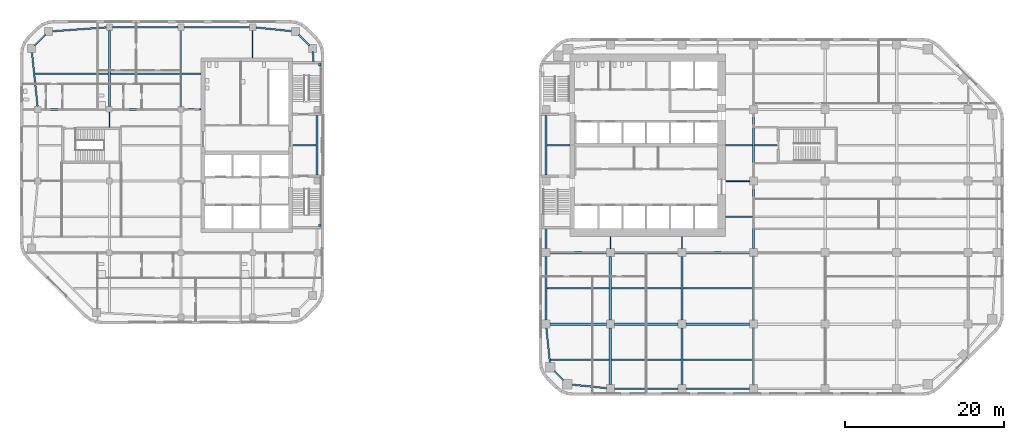
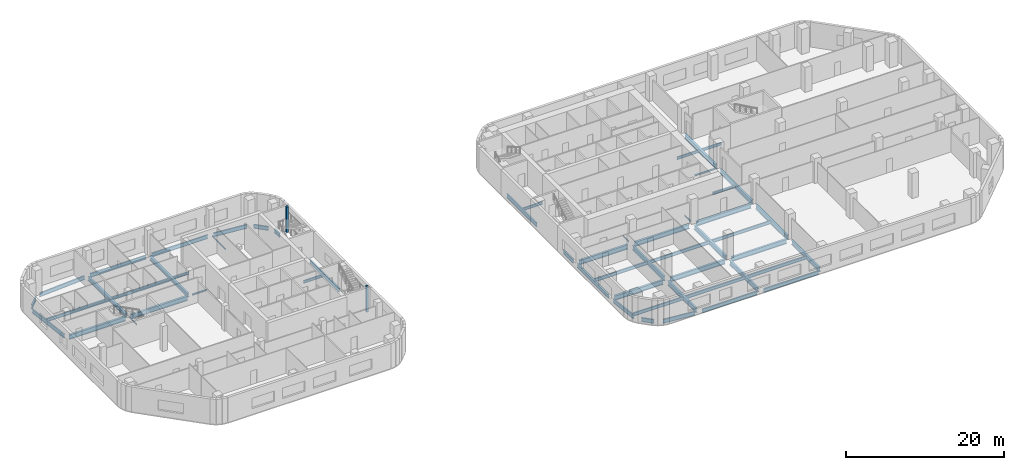
# One storey, part 2 of 16: 55 beams, 2 members.
"""IFC4 building model written with IfcOpenShell, lengths in metres."""

from ifc_helpers import new_model, si_unit, direction, frame, origin, origin_2d, place, context, subcontext, project, spatial, rectangle, i_section, extrude, material, material_profile, profile_set, type_object, element, save


model = new_model("IFC4")

# Units and contexts
model_context = context("Model", 3, precision=1e-05, world=origin(), true_north=direction((0.0, 1.0)))
body_context = subcontext(model_context, "Body", "Model", "MODEL_VIEW")
ifc_project = project(units=[si_unit("LENGTHUNIT", "METRE"), si_unit("AREAUNIT", "SQUARE_METRE"), si_unit("VOLUMEUNIT", "CUBIC_METRE"), si_unit("PLANEANGLEUNIT", "RADIAN"), si_unit("MASSUNIT", "GRAM", prefix="KILO")], contexts=[model_context])

# Site, building, storey
site_placement = place(None, origin())
site = spatial("IfcSite", under=ifc_project, at=site_placement, CompositionType="ELEMENT")
building_placement = place(site_placement, origin())
building = spatial("IfcBuilding", under=site, at=building_placement, Name="Cinnabar Reach Civic Tower", CompositionType="ELEMENT")
storey_placement = place(building_placement, frame((0.0, 0.0, 79.0)))
storey = spatial("IfcBuildingStorey", under=building, at=storey_placement, Name="L18", CompositionType="ELEMENT", Elevation=79.0)

# Beams
ifc_material_1 = material(Name="Steel Q355B", Category="steel")
ifc_material_profile_1 = material_profile(ifc_material_1, i_section(OverallWidth=0.302, OverallDepth=0.594, WebThickness=0.014, FlangeThickness=0.023, FilletRadius=0.016, at=origin_2d()), Name="HM594x302x14x23")
ifc_profile_set_1 = profile_set([ifc_material_profile_1], Name="Steel Q355B")
beam_type_1 = type_object("IfcBeamType", Name="HM594x302x14x23 beam R 120", PredefinedType="BEAM", material=ifc_profile_set_1)
for number, where, z_axis, x_axis, name in (
    (1, (-54.0, 36.352, -0.447), (0.0, 1.0, 0.0), (-1.0, 0.0, 0.0), "Girder T2 L18 5"),
    (2, (-45.0, 36.352, -0.447), (0.0, 1.0, 0.0), (-1.0, 0.0, 0.0), "Girder T2 L18 9"),
):
    element("IfcBeam", number, at=place(storey_placement, frame(where, z_axis=z_axis, x_axis=x_axis)), inside=storey, type_object=beam_type_1, Name=name, PredefinedType="BEAM", context=body_context, shape_type="SweptSolid", body=[
        extrude(i_section(OverallWidth=0.302, OverallDepth=0.594, WebThickness=0.014, FlangeThickness=0.023, FilletRadius=0.016, at=origin_2d()), origin(), (0.0, 0.0, 1.0), 9.596),
    ])
ifc_material_profile_2 = material_profile(ifc_material_1, i_section(OverallWidth=0.099, OverallDepth=0.198, WebThickness=0.0045, FlangeThickness=0.007, FilletRadius=0.013, at=origin_2d()), Name="HN200x100x5.5x8")
ifc_profile_set_2 = profile_set([ifc_material_profile_2], Name="Steel Q355B")
beam_type_2 = type_object("IfcBeamType", Name="HN200x100x5.5x8 beam R 120", PredefinedType="BEAM", material=ifc_profile_set_2)
beam_1_placement = place(storey_placement, frame((-54.0, 33.752, -0.249), z_axis=(0.0, 1.0, 0.0), x_axis=(-1.0, 0.0, 0.0)))
element("IfcBeam", 3, at=beam_1_placement, inside=storey, type_object=beam_type_2, Name="Girder T2 L18 4", PredefinedType="BEAM", context=body_context, shape_type="SweptSolid", body=[
    extrude(i_section(OverallWidth=0.099, OverallDepth=0.198, WebThickness=0.0045, FlangeThickness=0.007, FilletRadius=0.013, at=origin_2d()), origin(), (0.0, 0.0, 1.0), 1.896),
])
beam_2_placement = place(storey_placement, frame((-36.0, 42.502, -0.249), z_axis=(0.0, 1.0, 0.0), x_axis=(-1.0, 0.0, 0.0)))
element("IfcBeam", 4, at=beam_2_placement, inside=storey, type_object=beam_type_2, Name="Girder T2 L18 12", PredefinedType="BEAM", context=body_context, shape_type="SweptSolid", body=[
    extrude(i_section(OverallWidth=0.099, OverallDepth=0.198, WebThickness=0.0045, FlangeThickness=0.007, FilletRadius=0.013, at=origin_2d()), origin(), (0.0, 0.0, 1.0), 3.446),
])
ifc_material_profile_3 = material_profile(ifc_material_1, i_section(OverallWidth=0.099, OverallDepth=0.198, WebThickness=0.0045, FlangeThickness=0.007, FilletRadius=0.013, at=origin_2d()), Name="HN200x100x5.5x8")
ifc_profile_set_3 = profile_set([ifc_material_profile_3], Name="Steel Q355B")
beam_type_3 = type_object("IfcBeamType", Name="HN200x100x5.5x8 beam R 180", PredefinedType="BEAM", material=ifc_profile_set_3)
for number, where, z_axis, x_axis, name in (
    (5, (9.0, 18.502, -0.249), (0.0, 1.0, 0.0), (-1.0, 0.0, 0.0), "Girder T1 L18 3"),
    (6, (18.0, 18.502, -0.249), (0.0, 1.0, 0.0), (-1.0, 0.0, 0.0), "Girder T1 L18 6"),
):
    element("IfcBeam", number, at=place(storey_placement, frame(where, z_axis=z_axis, x_axis=x_axis)), inside=storey, type_object=beam_type_3, Name=name, PredefinedType="BEAM", context=body_context, shape_type="SweptSolid", body=[
        extrude(i_section(OverallWidth=0.099, OverallDepth=0.198, WebThickness=0.0045, FlangeThickness=0.007, FilletRadius=0.013, at=origin_2d()), origin(), (0.0, 0.0, 1.0), 1.496),
    ])
ifc_material_profile_4 = material_profile(ifc_material_1, i_section(OverallWidth=0.124, OverallDepth=0.248, WebThickness=0.005, FlangeThickness=0.008, FilletRadius=0.013, at=origin_2d()), Name="HN250x125x6x9")
ifc_profile_set_4 = profile_set([ifc_material_profile_4], Name="Steel Q355B")
beam_type_4 = type_object("IfcBeamType", Name="HN250x125x6x9 beam R 120", PredefinedType="BEAM", material=ifc_profile_set_4)
beam_3_placement = place(storey_placement, frame((-44.648, 36.0, -0.274), z_axis=(1.0, 0.0, 0.0), x_axis=(0.0, 1.0, 0.0)))
element("IfcBeam", 7, at=beam_3_placement, inside=storey, type_object=beam_type_4, Name="Girder T2 L18 10", PredefinedType="BEAM", context=body_context, shape_type="SweptSolid", body=[
    extrude(i_section(OverallWidth=0.124, OverallDepth=0.248, WebThickness=0.005, FlangeThickness=0.008, FilletRadius=0.013, at=origin_2d()), origin(), (0.0, 0.0, 1.0), 2.146),
])
ifc_material_profile_5 = material_profile(ifc_material_1, i_section(OverallWidth=0.124, OverallDepth=0.248, WebThickness=0.005, FlangeThickness=0.008, FilletRadius=0.013, at=origin_2d()), Name="HN250x125x6x9")
ifc_profile_set_5 = profile_set([ifc_material_profile_5], Name="Steel Q355B")
beam_type_5 = type_object("IfcBeamType", Name="HN250x125x6x9 beam R 180", PredefinedType="BEAM", material=ifc_profile_set_5)
beam_4_placement = place(storey_placement, frame((23.502, 27.0, -0.274), z_axis=(1.0, 0.0, 0.0), x_axis=(0.0, 1.0, 0.0)))
element("IfcBeam", 8, at=beam_4_placement, inside=storey, type_object=beam_type_5, Name="Girder T1 L18 15", PredefinedType="BEAM", context=body_context, shape_type="SweptSolid", body=[
    extrude(i_section(OverallWidth=0.124, OverallDepth=0.248, WebThickness=0.005, FlangeThickness=0.008, FilletRadius=0.013, at=origin_2d()), origin(), (0.0, 0.0, 1.0), 2.996),
])
ifc_material_profile_6 = material_profile(ifc_material_1, i_section(OverallWidth=0.199, OverallDepth=0.396, WebThickness=0.007, FlangeThickness=0.011, FilletRadius=0.013, at=origin_2d()), Name="HN396x199x7x11")
ifc_profile_set_6 = profile_set([ifc_material_profile_6], Name="Steel Q355B")
beam_type_6 = type_object("IfcBeamType", Name="HN396x199x7x11 beam R 120", PredefinedType="BEAM", material=ifc_profile_set_6)
beam_5_placement = place(storey_placement, frame((-30.998, 31.5, -0.348), z_axis=(1.0, 0.0, 0.0), x_axis=(0.0, 1.0, 0.0)))
element("IfcBeam", 9, at=beam_5_placement, inside=storey, type_object=beam_type_6, Name="Secondary beam T2 L18 11", PredefinedType="BEAM", context=body_context, shape_type="SweptSolid", body=[
    extrude(i_section(OverallWidth=0.199, OverallDepth=0.396, WebThickness=0.007, FlangeThickness=0.011, FilletRadius=0.013, at=origin_2d()), origin(), (0.0, 0.0, 1.0), 2.996),
])
beam_6_placement = place(storey_placement, frame((-44.847, 40.5, -0.348), z_axis=(1.0, 0.0, 0.0), x_axis=(0.0, 1.0, 0.0)))
element("IfcBeam", 10, at=beam_6_placement, inside=storey, type_object=beam_type_6, Name="Secondary beam T2 L18 14", PredefinedType="BEAM", context=body_context, shape_type="SweptSolid", body=[
    extrude(i_section(OverallWidth=0.199, OverallDepth=0.396, WebThickness=0.007, FlangeThickness=0.011, FilletRadius=0.013, at=origin_2d()), origin(), (0.0, 0.0, 1.0), 2.345),
])
ifc_material_profile_7 = material_profile(ifc_material_1, i_section(OverallWidth=0.2, OverallDepth=0.4, WebThickness=0.008, FlangeThickness=0.013, FilletRadius=0.016, at=origin_2d()), Name="HN400x200x8x13")
ifc_profile_set_7 = profile_set([ifc_material_profile_7], Name="Steel Q355B")
beam_type_7 = type_object("IfcBeamType", Name="HN400x200x8x13 beam R 180", PredefinedType="BEAM", material=ifc_profile_set_7)
beam_7_placement = place(storey_placement, frame((23.502, 22.5, -0.35), z_axis=(1.0, 0.0, 0.0), x_axis=(0.0, 1.0, 0.0)))
element("IfcBeam", 11, at=beam_7_placement, inside=storey, type_object=beam_type_7, Name="Secondary beam T1 L18 14", PredefinedType="BEAM", context=body_context, shape_type="SweptSolid", body=[
    extrude(i_section(OverallWidth=0.2, OverallDepth=0.4, WebThickness=0.008, FlangeThickness=0.013, FilletRadius=0.016, at=origin_2d()), origin(), (0.0, 0.0, 1.0), 3.346),
])
beam_8_placement = place(storey_placement, frame((1.002, 31.5, -0.35), z_axis=(1.0, 0.0, 0.0), x_axis=(0.0, 1.0, 0.0)))
element("IfcBeam", 12, at=beam_8_placement, inside=storey, type_object=beam_type_7, Name="Secondary beam T1 L18 19", PredefinedType="BEAM", context=body_context, shape_type="SweptSolid", body=[
    extrude(i_section(OverallWidth=0.2, OverallDepth=0.4, WebThickness=0.008, FlangeThickness=0.013, FilletRadius=0.016, at=origin_2d()), origin(), (0.0, 0.0, 1.0), 2.896),
])
beam_9_placement = place(storey_placement, frame((23.502, 31.5, -0.35), z_axis=(1.0, 0.0, 0.0), x_axis=(0.0, 1.0, 0.0)))
element("IfcBeam", 13, at=beam_9_placement, inside=storey, type_object=beam_type_7, Name="Secondary beam T1 L18 20", PredefinedType="BEAM", context=body_context, shape_type="SweptSolid", body=[
    extrude(i_section(OverallWidth=0.2, OverallDepth=0.4, WebThickness=0.008, FlangeThickness=0.013, FilletRadius=0.016, at=origin_2d()), origin(), (0.0, 0.0, 1.0), 3.346),
])
beam_10_placement = place(storey_placement, frame((27.152, 31.5, -0.35), z_axis=(1.0, 0.0, 0.0), x_axis=(0.0, 1.0, 0.0)))
element("IfcBeam", 14, at=beam_10_placement, inside=storey, type_object=beam_type_7, Name="Secondary beam T1 L18 21", PredefinedType="BEAM", context=body_context, shape_type="SweptSolid", body=[
    extrude(i_section(OverallWidth=0.2, OverallDepth=0.4, WebThickness=0.008, FlangeThickness=0.013, FilletRadius=0.016, at=origin_2d()), origin(), (0.0, 0.0, 1.0), 2.846),
])
ifc_material_profile_8 = material_profile(ifc_material_1, i_section(OverallWidth=0.199, OverallDepth=0.496, WebThickness=0.009, FlangeThickness=0.014, FilletRadius=0.016, at=origin_2d()), Name="HN496x199x9x14")
ifc_profile_set_8 = profile_set([ifc_material_profile_8], Name="Steel Q355B")
beam_type_8 = type_object("IfcBeamType", Name="HN496x199x9x14 beam R 120", PredefinedType="BEAM", material=ifc_profile_set_8)
beam_11_placement = place(storey_placement, frame((-63.3663, 40.5, -0.398), z_axis=(1.0, 0.0, 0.0), x_axis=(0.0, 1.0, 0.0)))
element("IfcBeam", 15, at=beam_11_placement, inside=storey, type_object=beam_type_8, Name="Secondary beam T2 L18 12", PredefinedType="BEAM", context=body_context, shape_type="SweptSolid", body=[
    extrude(i_section(OverallWidth=0.199, OverallDepth=0.496, WebThickness=0.009, FlangeThickness=0.014, FilletRadius=0.016, at=origin_2d()), origin(), (0.0, 0.0, 1.0), 9.2133),
])
beam_12_placement = place(storey_placement, frame((-53.847, 40.5, -0.398), z_axis=(1.0, 0.0, 0.0), x_axis=(0.0, 1.0, 0.0)))
element("IfcBeam", 16, at=beam_12_placement, inside=storey, type_object=beam_type_8, Name="Secondary beam T2 L18 13", PredefinedType="BEAM", context=body_context, shape_type="SweptSolid", body=[
    extrude(i_section(OverallWidth=0.199, OverallDepth=0.496, WebThickness=0.009, FlangeThickness=0.014, FilletRadius=0.016, at=origin_2d()), origin(), (0.0, 0.0, 1.0), 8.694),
])
ifc_material_profile_9 = material_profile(ifc_material_1, i_section(OverallWidth=0.2, OverallDepth=0.5, WebThickness=0.01, FlangeThickness=0.016, FilletRadius=0.016, at=origin_2d()), Name="HN500x200x10x16")
ifc_profile_set_9 = profile_set([ifc_material_profile_9], Name="Steel Q355B")
beam_type_9 = type_object("IfcBeamType", Name="HN500x200x10x16 beam R 180", PredefinedType="BEAM", material=ifc_profile_set_9)
beam_13_placement = place(storey_placement, frame((1.4636, 4.5, -0.4), z_axis=(1.0, 0.0, 0.0), x_axis=(0.0, 1.0, 0.0)))
element("IfcBeam", 17, at=beam_13_placement, inside=storey, type_object=beam_type_9, Name="Secondary beam T1 L18 1", PredefinedType="BEAM", context=body_context, shape_type="SweptSolid", body=[
    extrude(i_section(OverallWidth=0.2, OverallDepth=0.5, WebThickness=0.01, FlangeThickness=0.016, FilletRadius=0.016, at=origin_2d()), origin(), (0.0, 0.0, 1.0), 7.3844),
])
for number, where, z_axis, x_axis, name in (
    (18, (9.152, 4.5, -0.4), (1.0, 0.0, 0.0), (0.0, 1.0, 0.0), "Secondary beam T1 L18 2"),
    (19, (18.152, 4.5, -0.4), (1.0, 0.0, 0.0), (0.0, 1.0, 0.0), "Secondary beam T1 L18 3"),
):
    element("IfcBeam", number, at=place(storey_placement, frame(where, z_axis=z_axis, x_axis=x_axis)), inside=storey, type_object=beam_type_9, Name=name, PredefinedType="BEAM", context=body_context, shape_type="SweptSolid", body=[
        extrude(i_section(OverallWidth=0.2, OverallDepth=0.5, WebThickness=0.01, FlangeThickness=0.016, FilletRadius=0.016, at=origin_2d()), origin(), (0.0, 0.0, 1.0), 8.696),
    ])
beam_14_placement = place(storey_placement, frame((1.002, 13.5, -0.4), z_axis=(1.0, 0.0, 0.0), x_axis=(0.0, 1.0, 0.0)))
element("IfcBeam", 20, at=beam_14_placement, inside=storey, type_object=beam_type_9, Name="Secondary beam T1 L18 7", PredefinedType="BEAM", context=body_context, shape_type="SweptSolid", body=[
    extrude(i_section(OverallWidth=0.2, OverallDepth=0.5, WebThickness=0.01, FlangeThickness=0.016, FilletRadius=0.016, at=origin_2d()), origin(), (0.0, 0.0, 1.0), 7.846),
])
for number, where, z_axis, x_axis, name in (
    (21, (9.152, 13.5, -0.4), (1.0, 0.0, 0.0), (0.0, 1.0, 0.0), "Secondary beam T1 L18 8"),
    (22, (18.152, 13.5, -0.4), (1.0, 0.0, 0.0), (0.0, 1.0, 0.0), "Secondary beam T1 L18 9"),
):
    element("IfcBeam", number, at=place(storey_placement, frame(where, z_axis=z_axis, x_axis=x_axis)), inside=storey, type_object=beam_type_9, Name=name, PredefinedType="BEAM", context=body_context, shape_type="SweptSolid", body=[
        extrude(i_section(OverallWidth=0.2, OverallDepth=0.5, WebThickness=0.01, FlangeThickness=0.016, FilletRadius=0.016, at=origin_2d()), origin(), (0.0, 0.0, 1.0), 8.696),
    ])
ifc_material_profile_10 = material_profile(ifc_material_1, i_section(OverallWidth=0.2, OverallDepth=0.6, WebThickness=0.011, FlangeThickness=0.017, FilletRadius=0.016, at=origin_2d()), Name="HN600x200x11x17")
ifc_profile_set_10 = profile_set([ifc_material_profile_10], Name="Steel Q355B")
beam_type_10 = type_object("IfcBeamType", Name="HN600x200x11x17 beam R 120", PredefinedType="BEAM", material=ifc_profile_set_10)
beam_15_placement = place(storey_placement, frame((-27.9, 27.752, -0.45), z_axis=(0.0, 1.0, 0.0), x_axis=(-1.0, 0.0, 0.0)))
element("IfcBeam", 23, at=beam_15_placement, inside=storey, type_object=beam_type_10, Name="Edge beam T2 L18 7", PredefinedType="BEAM", context=body_context, shape_type="SweptSolid", body=[
    extrude(i_section(OverallWidth=0.2, OverallDepth=0.6, WebThickness=0.011, FlangeThickness=0.017, FilletRadius=0.016, at=origin_2d()), origin(), (0.0, 0.0, 1.0), 7.496),
])
beam_16_placement = place(storey_placement, frame((-28.3341, 42.002, -0.45), z_axis=(-0.072116143061, 0.997396241175, 0.0), x_axis=(-0.997396241175, -0.072116143061, 0.0)))
element("IfcBeam", 24, at=beam_16_placement, inside=storey, type_object=beam_type_10, Name="Edge beam T2 L18 8", PredefinedType="BEAM", context=body_context, shape_type="SweptSolid", body=[
    extrude(i_section(OverallWidth=0.2, OverallDepth=0.6, WebThickness=0.011, FlangeThickness=0.017, FilletRadius=0.016, at=origin_2d()), origin(), (0.0, 0.0, 1.0), 1.2674),
])
beam_17_placement = place(storey_placement, frame((-28.8351, 44.0301, -0.45), z_axis=(-0.707106781187, 0.707106781187, 0.0), x_axis=(-0.707106781187, -0.707106781187, 0.0)))
element("IfcBeam", 25, at=beam_17_placement, inside=storey, type_object=beam_type_10, Name="Edge beam T2 L18 9", PredefinedType="BEAM", context=body_context, shape_type="SweptSolid", body=[
    extrude(i_section(OverallWidth=0.2, OverallDepth=0.6, WebThickness=0.011, FlangeThickness=0.017, FilletRadius=0.016, at=origin_2d()), origin(), (0.0, 0.0, 1.0), 1.9584),
])
beam_18_placement = place(storey_placement, frame((-30.9839, 45.836, -0.45), z_axis=(-0.994791084875, 0.101934770579, 0.0), x_axis=(-0.101934770579, -0.994791084875, 0.0)))
element("IfcBeam", 26, at=beam_18_placement, inside=storey, type_object=beam_type_10, Name="Edge beam T2 L18 10", PredefinedType="BEAM", context=body_context, shape_type="SweptSolid", body=[
    extrude(i_section(OverallWidth=0.2, OverallDepth=0.6, WebThickness=0.011, FlangeThickness=0.017, FilletRadius=0.016, at=origin_2d()), origin(), (0.0, 0.0, 1.0), 4.6383),
])
for number, where, z_axis, x_axis, name in (
    (27, (-36.402, 46.35, -0.45), (-1.0, 0.0, 0.0), (0.0, -1.0, 0.0), "Edge beam T2 L18 11"),
    (28, (-45.402, 46.35, -0.45), (-1.0, 0.0, 0.0), (0.0, -1.0, 0.0), "Edge beam T2 L18 12"),
):
    element("IfcBeam", number, at=place(storey_placement, frame(where, z_axis=z_axis, x_axis=x_axis)), inside=storey, type_object=beam_type_10, Name=name, PredefinedType="BEAM", context=body_context, shape_type="SweptSolid", body=[
        extrude(i_section(OverallWidth=0.2, OverallDepth=0.6, WebThickness=0.011, FlangeThickness=0.017, FilletRadius=0.016, at=origin_2d()), origin(), (0.0, 0.0, 1.0), 8.196),
    ])
beam_19_placement = place(storey_placement, frame((-54.402, 46.3209, -0.45), z_axis=(-0.997395244781, -0.072129922278, 0.0), x_axis=(0.072129922278, -0.997395244781, 0.0)))
element("IfcBeam", 29, at=beam_19_placement, inside=storey, type_object=beam_type_10, Name="Edge beam T2 L18 13", PredefinedType="BEAM", context=body_context, shape_type="SweptSolid", body=[
    extrude(i_section(OverallWidth=0.2, OverallDepth=0.6, WebThickness=0.011, FlangeThickness=0.017, FilletRadius=0.016, at=origin_2d()), origin(), (0.0, 0.0, 1.0), 6.882),
])
beam_20_placement = place(storey_placement, frame((-62.0301, 45.4149, -0.45), z_axis=(-0.707106781187, -0.707106781187, 0.0), x_axis=(0.707106781187, -0.707106781187, 0.0)))
element("IfcBeam", 30, at=beam_20_placement, inside=storey, type_object=beam_type_10, Name="Edge beam T2 L18 14", PredefinedType="BEAM", context=body_context, shape_type="SweptSolid", body=[
    extrude(i_section(OverallWidth=0.2, OverallDepth=0.6, WebThickness=0.011, FlangeThickness=0.017, FilletRadius=0.016, at=origin_2d()), origin(), (0.0, 0.0, 1.0), 1.9584),
])
beam_21_placement = place(storey_placement, frame((-63.7571, 43.2661, -0.45), z_axis=(0.103633260175, -0.994615577691, 0.0), x_axis=(0.994615577691, 0.103633260175, 0.0)))
element("IfcBeam", 31, at=beam_21_placement, inside=storey, type_object=beam_type_10, Name="Edge beam T2 L18 15", PredefinedType="BEAM", context=body_context, shape_type="SweptSolid", body=[
    extrude(i_section(OverallWidth=0.2, OverallDepth=0.6, WebThickness=0.011, FlangeThickness=0.017, FilletRadius=0.016, at=origin_2d()), origin(), (0.0, 0.0, 1.0), 6.9013),
])
ifc_material_profile_11 = material_profile(ifc_material_1, i_section(OverallWidth=0.2, OverallDepth=0.6, WebThickness=0.011, FlangeThickness=0.017, FilletRadius=0.016, at=origin_2d()), Name="HN600x200x11x17")
ifc_profile_set_11 = profile_set([ifc_material_profile_11], Name="Steel Q355B")
beam_type_11 = type_object("IfcBeamType", Name="HN600x200x11x17 beam R 180", PredefinedType="BEAM", material=ifc_profile_set_11)
beam_22_placement = place(storey_placement, frame((4.0839, 1.4037, -0.45), z_axis=(0.994791228755, -0.101933366432, 0.0), x_axis=(0.101933366432, 0.994791228755, 0.0)))
element("IfcBeam", 32, at=beam_22_placement, inside=storey, type_object=beam_type_11, Name="Edge beam T1 L18 1", PredefinedType="BEAM", context=body_context, shape_type="SweptSolid", body=[
    extrude(i_section(OverallWidth=0.2, OverallDepth=0.6, WebThickness=0.011, FlangeThickness=0.017, FilletRadius=0.016, at=origin_2d()), origin(), (0.0, 0.0, 1.0), 4.4372),
])
for number, where, z_axis, x_axis, name in (
    (33, (9.502, 0.9, -0.45), (1.0, 0.0, 0.0), (0.0, 1.0, 0.0), "Edge beam T1 L18 2"),
    (34, (18.502, 0.9, -0.45), (1.0, 0.0, 0.0), (0.0, 1.0, 0.0), "Edge beam T1 L18 3"),
):
    element("IfcBeam", number, at=place(storey_placement, frame(where, z_axis=z_axis, x_axis=x_axis)), inside=storey, type_object=beam_type_11, Name=name, PredefinedType="BEAM", context=body_context, shape_type="SweptSolid", body=[
        extrude(i_section(OverallWidth=0.2, OverallDepth=0.6, WebThickness=0.011, FlangeThickness=0.017, FilletRadius=0.016, at=origin_2d()), origin(), (0.0, 0.0, 1.0), 7.996),
    ])
beam_23_placement = place(storey_placement, frame((0.9, 35.248, -0.45), z_axis=(0.0, -1.0, 0.0), x_axis=(1.0, 0.0, 0.0)))
element("IfcBeam", 35, at=beam_23_placement, inside=storey, type_object=beam_type_11, Name="Edge beam T1 L18 20", PredefinedType="BEAM", context=body_context, shape_type="SweptSolid", body=[
    extrude(i_section(OverallWidth=0.2, OverallDepth=0.6, WebThickness=0.011, FlangeThickness=0.017, FilletRadius=0.016, at=origin_2d()), origin(), (0.0, 0.0, 1.0), 7.496),
])
beam_24_placement = place(storey_placement, frame((0.9, 20.998, -0.45), z_axis=(0.0, -1.0, 0.0), x_axis=(1.0, 0.0, 0.0)))
element("IfcBeam", 36, at=beam_24_placement, inside=storey, type_object=beam_type_11, Name="Edge beam T1 L18 21", PredefinedType="BEAM", context=body_context, shape_type="SweptSolid", body=[
    extrude(i_section(OverallWidth=0.2, OverallDepth=0.6, WebThickness=0.011, FlangeThickness=0.017, FilletRadius=0.016, at=origin_2d()), origin(), (0.0, 0.0, 1.0), 2.496),
])
beam_25_placement = place(storey_placement, frame((0.9, 17.498, -0.45), z_axis=(0.0, -1.0, 0.0), x_axis=(1.0, 0.0, 0.0)))
element("IfcBeam", 37, at=beam_25_placement, inside=storey, type_object=beam_type_11, Name="Edge beam T1 L18 22", PredefinedType="BEAM", context=body_context, shape_type="SweptSolid", body=[
    extrude(i_section(OverallWidth=0.2, OverallDepth=0.6, WebThickness=0.011, FlangeThickness=0.017, FilletRadius=0.016, at=origin_2d()), origin(), (0.0, 0.0, 1.0), 7.996),
])
beam_26_placement = place(storey_placement, frame((0.9514, 8.498, -0.45), z_axis=(0.101933366432, -0.994791228755, 0.0), x_axis=(0.994791228755, 0.101933366432, 0.0)))
element("IfcBeam", 38, at=beam_26_placement, inside=storey, type_object=beam_type_11, Name="Edge beam T1 L18 23", PredefinedType="BEAM", context=body_context, shape_type="SweptSolid", body=[
    extrude(i_section(OverallWidth=0.2, OverallDepth=0.6, WebThickness=0.011, FlangeThickness=0.017, FilletRadius=0.016, at=origin_2d()), origin(), (0.0, 0.0, 1.0), 4.4372),
])
beam_27_placement = place(storey_placement, frame((1.9351, 3.1199, -0.45), z_axis=(0.707106781187, -0.707106781187, 0.0), x_axis=(0.707106781187, 0.707106781187, 0.0)))
element("IfcBeam", 39, at=beam_27_placement, inside=storey, type_object=beam_type_11, Name="Edge beam T1 L18 24", PredefinedType="BEAM", context=body_context, shape_type="SweptSolid", body=[
    extrude(i_section(OverallWidth=0.2, OverallDepth=0.6, WebThickness=0.011, FlangeThickness=0.017, FilletRadius=0.016, at=origin_2d()), origin(), (0.0, 0.0, 1.0), 1.6756),
])
ifc_material_profile_12 = material_profile(ifc_material_1, i_section(OverallWidth=0.3, OverallDepth=0.692, WebThickness=0.013, FlangeThickness=0.02, FilletRadius=0.016, at=origin_2d()), Name="HN692x300x13x20")
ifc_profile_set_12 = profile_set([ifc_material_profile_12], Name="Steel Q355B")
beam_type_12 = type_object("IfcBeamType", Name="HN692x300x13x20 beam R 120", PredefinedType="BEAM", material=ifc_profile_set_12)
beam_28_placement = place(storey_placement, frame((-62.598, 36.0, -0.496), z_axis=(1.0, 0.0, 0.0), x_axis=(0.0, 1.0, 0.0)))
element("IfcBeam", 40, at=beam_28_placement, inside=storey, type_object=beam_type_12, Name="Girder T2 L18 8", PredefinedType="BEAM", context=body_context, shape_type="SweptSolid", body=[
    extrude(i_section(OverallWidth=0.3, OverallDepth=0.692, WebThickness=0.013, FlangeThickness=0.02, FilletRadius=0.016, at=origin_2d()), origin(), (0.0, 0.0, 1.0), 8.246),
])
beam_29_placement = place(storey_placement, frame((-53.648, 36.0, -0.496), z_axis=(1.0, 0.0, 0.0), x_axis=(0.0, 1.0, 0.0)))
element("IfcBeam", 41, at=beam_29_placement, inside=storey, type_object=beam_type_12, Name="Girder T2 L18 9", PredefinedType="BEAM", context=body_context, shape_type="SweptSolid", body=[
    extrude(i_section(OverallWidth=0.3, OverallDepth=0.692, WebThickness=0.013, FlangeThickness=0.02, FilletRadius=0.016, at=origin_2d()), origin(), (0.0, 0.0, 1.0), 8.296),
])
ifc_material_profile_13 = material_profile(ifc_material_1, i_section(OverallWidth=0.3, OverallDepth=0.692, WebThickness=0.013, FlangeThickness=0.02, FilletRadius=0.016, at=origin_2d()), Name="HN692x300x13x20")
ifc_profile_set_13 = profile_set([ifc_material_profile_13], Name="Steel Q355B")
beam_type_13 = type_object("IfcBeamType", Name="HN692x300x13x20 beam R 180", PredefinedType="BEAM", material=ifc_profile_set_13)
beam_30_placement = place(storey_placement, frame((9.0, 1.402, -0.496), z_axis=(0.0, 1.0, 0.0), x_axis=(-1.0, 0.0, 0.0)))
element("IfcBeam", 42, at=beam_30_placement, inside=storey, type_object=beam_type_13, Name="Girder T1 L18 1", PredefinedType="BEAM", context=body_context, shape_type="SweptSolid", body=[
    extrude(i_section(OverallWidth=0.3, OverallDepth=0.692, WebThickness=0.013, FlangeThickness=0.02, FilletRadius=0.016, at=origin_2d()), origin(), (0.0, 0.0, 1.0), 7.096),
])
beam_31_placement = place(storey_placement, frame((9.0, 9.502, -0.496), z_axis=(0.0, 1.0, 0.0), x_axis=(-1.0, 0.0, 0.0)))
element("IfcBeam", 43, at=beam_31_placement, inside=storey, type_object=beam_type_13, Name="Girder T1 L18 2", PredefinedType="BEAM", context=body_context, shape_type="SweptSolid", body=[
    extrude(i_section(OverallWidth=0.3, OverallDepth=0.692, WebThickness=0.013, FlangeThickness=0.02, FilletRadius=0.016, at=origin_2d()), origin(), (0.0, 0.0, 1.0), 7.996),
])
beam_32_placement = place(storey_placement, frame((18.0, 1.402, -0.496), z_axis=(0.0, 1.0, 0.0), x_axis=(-1.0, 0.0, 0.0)))
element("IfcBeam", 44, at=beam_32_placement, inside=storey, type_object=beam_type_13, Name="Girder T1 L18 4", PredefinedType="BEAM", context=body_context, shape_type="SweptSolid", body=[
    extrude(i_section(OverallWidth=0.3, OverallDepth=0.692, WebThickness=0.013, FlangeThickness=0.02, FilletRadius=0.016, at=origin_2d()), origin(), (0.0, 0.0, 1.0), 7.096),
])
beam_33_placement = place(storey_placement, frame((18.0, 9.502, -0.496), z_axis=(0.0, 1.0, 0.0), x_axis=(-1.0, 0.0, 0.0)))
element("IfcBeam", 45, at=beam_33_placement, inside=storey, type_object=beam_type_13, Name="Girder T1 L18 5", PredefinedType="BEAM", context=body_context, shape_type="SweptSolid", body=[
    extrude(i_section(OverallWidth=0.3, OverallDepth=0.692, WebThickness=0.013, FlangeThickness=0.02, FilletRadius=0.016, at=origin_2d()), origin(), (0.0, 0.0, 1.0), 7.996),
])
beam_34_placement = place(storey_placement, frame((27.0, 1.402, -0.496), z_axis=(0.0, 1.0, 0.0), x_axis=(-1.0, 0.0, 0.0)))
element("IfcBeam", 46, at=beam_34_placement, inside=storey, type_object=beam_type_13, Name="Girder T1 L18 7", PredefinedType="BEAM", context=body_context, shape_type="SweptSolid", body=[
    extrude(i_section(OverallWidth=0.3, OverallDepth=0.692, WebThickness=0.013, FlangeThickness=0.02, FilletRadius=0.016, at=origin_2d()), origin(), (0.0, 0.0, 1.0), 7.096),
])
for number, where, z_axis, x_axis, name in (
    (47, (27.0, 9.502, -0.496), (0.0, 1.0, 0.0), (-1.0, 0.0, 0.0), "Girder T1 L18 8"),
    (48, (27.0, 18.502, -0.496), (0.0, 1.0, 0.0), (-1.0, 0.0, 0.0), "Girder T1 L18 9"),
    (49, (27.0, 27.502, -0.496), (0.0, 1.0, 0.0), (-1.0, 0.0, 0.0), "Girder T1 L18 10"),
):
    element("IfcBeam", number, at=place(storey_placement, frame(where, z_axis=z_axis, x_axis=x_axis)), inside=storey, type_object=beam_type_13, Name=name, PredefinedType="BEAM", context=body_context, shape_type="SweptSolid", body=[
        extrude(i_section(OverallWidth=0.3, OverallDepth=0.692, WebThickness=0.013, FlangeThickness=0.02, FilletRadius=0.016, at=origin_2d()), origin(), (0.0, 0.0, 1.0), 7.996),
    ])
ifc_material_profile_14 = material_profile(ifc_material_1, i_section(OverallWidth=0.3, OverallDepth=0.7, WebThickness=0.013, FlangeThickness=0.024, FilletRadius=0.02, at=origin_2d()), Name="HN700x300x13x24")
ifc_profile_set_14 = profile_set([ifc_material_profile_14], Name="Steel Q355B")
beam_type_14 = type_object("IfcBeamType", Name="HN700x300x13x24 beam R 180", PredefinedType="BEAM", material=ifc_profile_set_14)
beam_35_placement = place(storey_placement, frame((1.402, 9.0, -0.5), z_axis=(1.0, 0.0, 0.0), x_axis=(0.0, 1.0, 0.0)))
element("IfcBeam", 50, at=beam_35_placement, inside=storey, type_object=beam_type_14, Name="Girder T1 L18 1", PredefinedType="BEAM", context=body_context, shape_type="SweptSolid", body=[
    extrude(i_section(OverallWidth=0.3, OverallDepth=0.7, WebThickness=0.013, FlangeThickness=0.024, FilletRadius=0.02, at=origin_2d()), origin(), (0.0, 0.0, 1.0), 7.096),
])
for number, where, z_axis, x_axis, name in (
    (51, (9.502, 9.0, -0.5), (1.0, 0.0, 0.0), (0.0, 1.0, 0.0), "Girder T1 L18 2"),
    (52, (18.502, 9.0, -0.5), (1.0, 0.0, 0.0), (0.0, 1.0, 0.0), "Girder T1 L18 3"),
):
    element("IfcBeam", number, at=place(storey_placement, frame(where, z_axis=z_axis, x_axis=x_axis)), inside=storey, type_object=beam_type_14, Name=name, PredefinedType="BEAM", context=body_context, shape_type="SweptSolid", body=[
        extrude(i_section(OverallWidth=0.3, OverallDepth=0.7, WebThickness=0.013, FlangeThickness=0.024, FilletRadius=0.02, at=origin_2d()), origin(), (0.0, 0.0, 1.0), 7.996),
    ])
beam_36_placement = place(storey_placement, frame((1.402, 18.0, -0.5), z_axis=(1.0, 0.0, 0.0), x_axis=(0.0, 1.0, 0.0)))
element("IfcBeam", 53, at=beam_36_placement, inside=storey, type_object=beam_type_14, Name="Girder T1 L18 8", PredefinedType="BEAM", context=body_context, shape_type="SweptSolid", body=[
    extrude(i_section(OverallWidth=0.3, OverallDepth=0.7, WebThickness=0.013, FlangeThickness=0.024, FilletRadius=0.02, at=origin_2d()), origin(), (0.0, 0.0, 1.0), 7.096),
])
for number, where, z_axis, x_axis, name in (
    (54, (9.502, 18.0, -0.5), (1.0, 0.0, 0.0), (0.0, 1.0, 0.0), "Girder T1 L18 9"),
    (55, (18.502, 18.0, -0.5), (1.0, 0.0, 0.0), (0.0, 1.0, 0.0), "Girder T1 L18 10"),
):
    element("IfcBeam", number, at=place(storey_placement, frame(where, z_axis=z_axis, x_axis=x_axis)), inside=storey, type_object=beam_type_14, Name=name, PredefinedType="BEAM", context=body_context, shape_type="SweptSolid", body=[
        extrude(i_section(OverallWidth=0.3, OverallDepth=0.7, WebThickness=0.013, FlangeThickness=0.024, FilletRadius=0.02, at=origin_2d()), origin(), (0.0, 0.0, 1.0), 7.996),
    ])

# Members
ifc_material_2 = material(Name="Concrete C40", Category="concrete")
ifc_material_profile_15 = material_profile(ifc_material_2, rectangle(XDim=0.3, YDim=0.3, at=origin_2d()), Name="C300")
ifc_profile_set_15 = profile_set([ifc_material_profile_15], Name="Concrete C40")
member_type = type_object("IfcMemberType", Name="T2 stair post 300", PredefinedType="STRUT", material=ifc_profile_set_15)
for number, where, z_axis, x_axis, name in (
    (56, (-27.55, 21.4, 0.0), (0.0, 0.0, 1.0), (1.0, 0.0, 0.0), "Stair post 1"),
    (57, (-27.55, 41.6, 0.0), (0.0, 0.0, 1.0), (1.0, 0.0, 0.0), "Stair post 2"),
):
    element("IfcMember", number, at=place(storey_placement, frame(where, z_axis=z_axis, x_axis=x_axis)), inside=storey, type_object=member_type, Name=name, PredefinedType="STRUT", context=body_context, shape_type="SweptSolid", body=[
        extrude(rectangle(XDim=0.3, YDim=0.3, at=origin_2d()), origin(), (0.0, 0.0, 1.0), 4.0),
    ])

save(model, "model.ifc")
